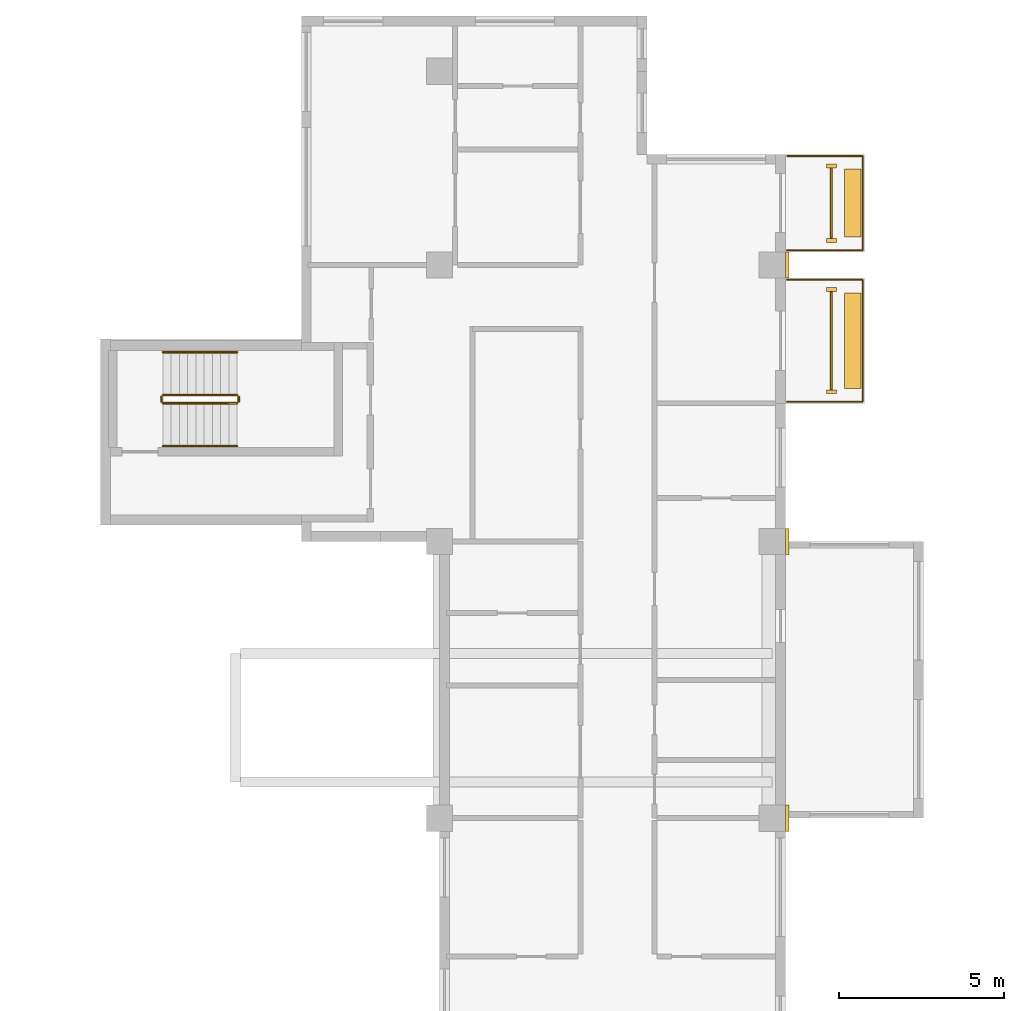
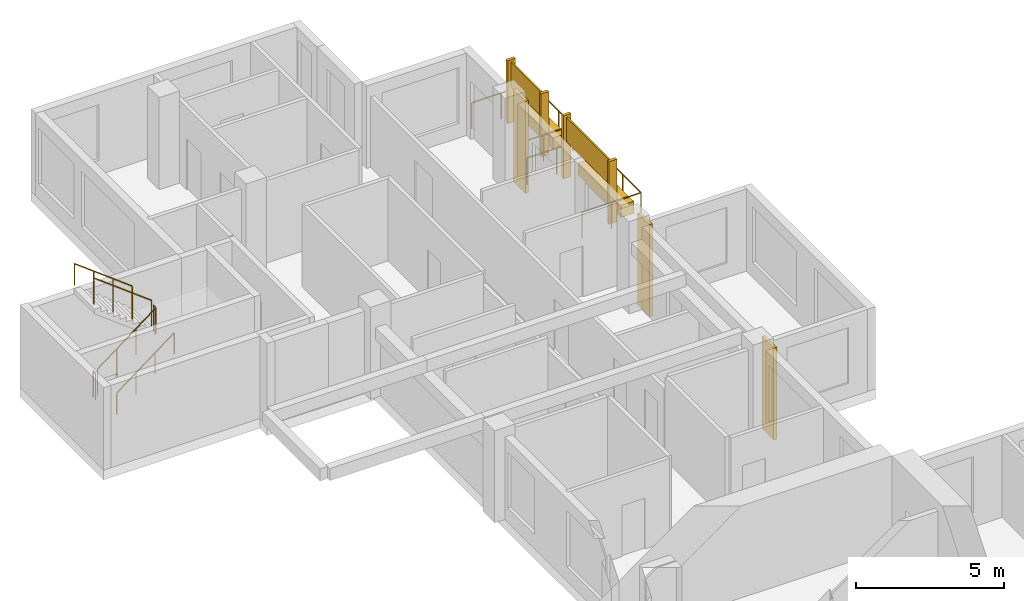
# One storey, part 12 of 12: 11 coverings, 8 railings.
"""IFC4 building model written with IfcOpenShell, lengths in metres."""

from ifc_helpers import new_model, si_unit, direction, frame, origin, origin_2d, place, context, subcontext, project, spatial, rectangle, circle, extrude, source, transform, mapped, material, type_object, element, save


model = new_model("IFC4")

# Units and contexts
model_context = context("Model", 3, precision=1e-05, world=origin(), true_north=direction((0.0, 1.0)))
body_context = subcontext(model_context, "Body", "Model", "MODEL_VIEW")
ifc_project = project(units=[si_unit("LENGTHUNIT", "METRE"), si_unit("AREAUNIT", "SQUARE_METRE"), si_unit("VOLUMEUNIT", "CUBIC_METRE"), si_unit("PLANEANGLEUNIT", "RADIAN"), si_unit("MASSUNIT", "GRAM", prefix="KILO")], contexts=[model_context])

# Site, building, storey
site_placement = place(None, origin())
site = spatial("IfcSite", under=ifc_project, at=site_placement, CompositionType="ELEMENT")
building_placement = place(site_placement, origin())
building = spatial("IfcBuilding", under=site, at=building_placement, Name="Aurelian Terraces", CompositionType="ELEMENT")
storey_placement = place(building_placement, frame((0.0, 0.0, 238.6)))
storey = spatial("IfcBuildingStorey", under=building, at=storey_placement, Name="L54", CompositionType="ELEMENT", Elevation=238.6)

# Railing
ifc_material_1 = material(Name="Anodised aluminium", Category="aluminium")
railing_type_1 = type_object("IfcRailingType", Name="GUARD-1100", PredefinedType="GUARDRAIL", material=ifc_material_1)
railing_1_placement = place(storey_placement, frame((21.05, 42.05, 0.0)))
element("IfcRailing", 1, at=railing_1_placement, inside=storey, type_object=railing_type_1, Name="Balcony guard L54 F08.21", PredefinedType="GUARDRAIL", context=body_context, shape_type="SweptSolid", body=[
    extrude(circle(Radius=0.024, at=origin_2d()), frame((0.0, 0.0, 1.076), z_axis=(1.0, 0.0, 0.0), x_axis=(0.0, 1.0, 0.0)), (0.0, 0.0, 1.0), 2.3),
    extrude(circle(Radius=0.024, at=origin_2d()), frame((2.3, 0.0, 1.076), z_axis=(0.0, 1.0, 0.0), x_axis=(-1.0, 0.0, 0.0)), (0.0, 0.0, 1.0), 3.7),
    extrude(circle(Radius=0.024, at=origin_2d()), frame((2.3, 3.7, 1.076), z_axis=(-1.0, 0.0, 0.0), x_axis=(0.0, -1.0, 0.0)), (0.0, 0.0, 1.0), 2.3),
    extrude(circle(Radius=0.021, at=origin_2d()), origin(), (0.0, 0.0, 1.0), 1.052),
    extrude(circle(Radius=0.021, at=origin_2d()), frame((1.15, 0.0, 0.0)), (0.0, 0.0, 1.0), 1.052),
    extrude(circle(Radius=0.021, at=origin_2d()), frame((2.3, 0.0, 0.0)), (0.0, 0.0, 1.0), 1.052),
    extrude(circle(Radius=0.021, at=origin_2d()), frame((2.3, 1.2333, 0.0)), (0.0, 0.0, 1.0), 1.052),
    extrude(circle(Radius=0.021, at=origin_2d()), frame((2.3, 2.4667, 0.0)), (0.0, 0.0, 1.0), 1.052),
    extrude(circle(Radius=0.021, at=origin_2d()), frame((2.3, 3.7, 0.0)), (0.0, 0.0, 1.0), 1.052),
    extrude(circle(Radius=0.021, at=origin_2d()), frame((1.15, 3.7, 0.0)), (0.0, 0.0, 1.0), 1.052),
    extrude(circle(Radius=0.021, at=origin_2d()), frame((0.0, 3.7, 0.0)), (0.0, 0.0, 1.0), 1.052),
])

# Coverings
ifc_material_2 = material(Name="Terracotta planter with planting soil", Category="masonry")
covering_type_1 = type_object("IfcCoveringType", Name="PLANTER-TROUGH", PredefinedType="USERDEFINED", material=ifc_material_2)
covering_1_placement = place(storey_placement, frame((23.05, 43.9, 0.0), z_axis=(0.0, 0.0, 1.0), x_axis=(1.0, 0.0, 0.0)))
element("IfcCovering", 2, at=covering_1_placement, inside=storey, type_object=covering_type_1, Name="PLANTER L54 L54-F08-21", ObjectType="PLANTER", PredefinedType="USERDEFINED", context=body_context, shape_type="SweptSolid", body=[
    extrude(rectangle(XDim=0.5, YDim=2.9, at=origin_2d()), origin(), (0.0, 0.0, 1.0), 0.5),
])
ifc_material_3 = material(Name="Terracotta rainscreen cladding", Category="masonry")
covering_type_2 = type_object("IfcCoveringType", Name="SCREEN-TC", PredefinedType="CLADDING", material=ifc_material_3)
covering_2_placement = place(storey_placement, frame((22.4, 43.9, 1.5), z_axis=(0.0, 0.0, 1.0), x_axis=(1.0, 0.0, 0.0)))
element("IfcCovering", 3, at=covering_2_placement, inside=storey, type_object=covering_type_2, Name="SCREEN L54 L54-F08-21", PredefinedType="CLADDING", context=body_context, shape_type="SweptSolid", body=[
    extrude(rectangle(XDim=0.06, YDim=2.98, at=origin_2d()), origin(), (0.0, 0.0, 1.0), 1.0),
])
ifc_material_4 = material(Name="Terracotta rainscreen cladding relief", Category="masonry")
covering_type_3 = type_object("IfcCoveringType", Name="FIN-TC", PredefinedType="CLADDING", material=ifc_material_4)
shared_shape_1 = source(origin(), body_context, "Body", "SweptSolid", [
    extrude(rectangle(XDim=0.3, YDim=0.12, at=origin_2d()), origin(), (0.0, 0.0, 1.0), 2.6),
])
for number, where, z_axis, x_axis, name in (
    (4, (22.4, 42.35, 0.0), (0.0, 0.0, 1.0), (1.0, 0.0, 0.0), "FIN L54 L54-F08-21.1"),
    (5, (22.4, 45.45, 0.0), (0.0, 0.0, 1.0), (1.0, 0.0, 0.0), "FIN L54 L54-F08-21.2"),
    (6, (22.4, 46.95, 0.0), (0.0, 0.0, 1.0), (1.0, 0.0, 0.0), "FIN L54 L54-F08-22.1"),
    (7, (22.4, 49.21, 0.0), (0.0, 0.0, 1.0), (1.0, 0.0, 0.0), "FIN L54 L54-F08-22.2"),
):
    element("IfcCovering", number, at=place(storey_placement, frame(where, z_axis=z_axis, x_axis=x_axis)), inside=storey, type_object=covering_type_3, Name=name, PredefinedType="CLADDING", context=body_context, shape_type="MappedRepresentation", body=[
        mapped(shared_shape_1, transform((0.0, 0.0, 0.0), scale=1.0)),
    ])
covering_type_4 = type_object("IfcCoveringType", Name="BAGUETTE-TC", PredefinedType="CLADDING", material=ifc_material_4)
shared_shape_2 = source(origin(), body_context, "Body", "SweptSolid", [
    extrude(rectangle(XDim=0.12, YDim=0.8, at=origin_2d()), origin(), (0.0, 0.0, 1.0), 3.8),
])
for number, where, z_axis, x_axis, name in (
    (8, (21.06, 29.4, -0.4), (0.0, 0.0, 1.0), (1.0, 0.0, 0.0), "BAGUETTE pier L54 6"),
    (9, (21.06, 37.8, -0.4), (0.0, 0.0, 1.0), (1.0, 0.0, 0.0), "BAGUETTE pier L54 7"),
    (10, (21.06, 46.2, -0.4), (0.0, 0.0, 1.0), (1.0, 0.0, 0.0), "BAGUETTE pier L54 8"),
):
    element("IfcCovering", number, at=place(storey_placement, frame(where, z_axis=z_axis, x_axis=x_axis)), inside=storey, type_object=covering_type_4, Name=name, PredefinedType="CLADDING", context=body_context, shape_type="MappedRepresentation", body=[
        mapped(shared_shape_2, transform((0.0, 0.0, 0.0), scale=1.0)),
    ])

# Railing
shared_shape_3 = source(origin(), body_context, "Body", "SweptSolid", [
    extrude(circle(Radius=0.024, at=origin_2d()), frame((0.0, 0.0, 1.076), z_axis=(1.0, 0.0, 0.0), x_axis=(0.0, 1.0, 0.0)), (0.0, 0.0, 1.0), 2.3),
    extrude(circle(Radius=0.024, at=origin_2d()), frame((2.3, 0.0, 1.076), z_axis=(0.0, 1.0, 0.0), x_axis=(-1.0, 0.0, 0.0)), (0.0, 0.0, 1.0), 2.86),
    extrude(circle(Radius=0.024, at=origin_2d()), frame((2.3, 2.86, 1.076), z_axis=(-1.0, 0.0, 0.0), x_axis=(0.0, -1.0, 0.0)), (0.0, 0.0, 1.0), 2.3),
    extrude(circle(Radius=0.021, at=origin_2d()), origin(), (0.0, 0.0, 1.0), 1.052),
    extrude(circle(Radius=0.021, at=origin_2d()), frame((1.15, 0.0, 0.0)), (0.0, 0.0, 1.0), 1.052),
    extrude(circle(Radius=0.021, at=origin_2d()), frame((2.3, 0.0, 0.0)), (0.0, 0.0, 1.0), 1.052),
    extrude(circle(Radius=0.021, at=origin_2d()), frame((2.3, 0.9533, 0.0)), (0.0, 0.0, 1.0), 1.052),
    extrude(circle(Radius=0.021, at=origin_2d()), frame((2.3, 1.9067, 0.0)), (0.0, 0.0, 1.0), 1.052),
    extrude(circle(Radius=0.021, at=origin_2d()), frame((2.3, 2.86, 0.0)), (0.0, 0.0, 1.0), 1.052),
    extrude(circle(Radius=0.021, at=origin_2d()), frame((1.15, 2.86, 0.0)), (0.0, 0.0, 1.0), 1.052),
    extrude(circle(Radius=0.021, at=origin_2d()), frame((0.0, 2.86, 0.0)), (0.0, 0.0, 1.0), 1.052),
])
railing_2_placement = place(storey_placement, frame((21.05, 46.65, 0.0)))
element("IfcRailing", 11, at=railing_2_placement, inside=storey, type_object=railing_type_1, Name="Balcony guard L54 F08.22", PredefinedType="GUARDRAIL", context=body_context, shape_type="MappedRepresentation", body=[
    mapped(shared_shape_3, transform((0.0, 0.0, 0.0), scale=1.0)),
])

# Coverings
shared_shape_4 = source(origin(), body_context, "Body", "SweptSolid", [
    extrude(rectangle(XDim=0.5, YDim=2.06, at=origin_2d()), origin(), (0.0, 0.0, 1.0), 0.5),
])
covering_3_placement = place(storey_placement, frame((23.05, 48.08, 0.0), z_axis=(0.0, 0.0, 1.0), x_axis=(1.0, 0.0, 0.0)))
element("IfcCovering", 12, at=covering_3_placement, inside=storey, type_object=covering_type_1, Name="PLANTER L54 L54-F08-22", ObjectType="PLANTER", PredefinedType="USERDEFINED", context=body_context, shape_type="MappedRepresentation", body=[
    mapped(shared_shape_4, transform((0.0, 0.0, 0.0), scale=1.0)),
])
shared_shape_5 = source(origin(), body_context, "Body", "SweptSolid", [
    extrude(rectangle(XDim=0.06, YDim=2.14, at=origin_2d()), origin(), (0.0, 0.0, 1.0), 1.0),
])
covering_4_placement = place(storey_placement, frame((22.4, 48.08, 1.5), z_axis=(0.0, 0.0, 1.0), x_axis=(1.0, 0.0, 0.0)))
element("IfcCovering", 13, at=covering_4_placement, inside=storey, type_object=covering_type_2, Name="SCREEN L54 L54-F08-22", PredefinedType="CLADDING", context=body_context, shape_type="MappedRepresentation", body=[
    mapped(shared_shape_5, transform((0.0, 0.0, 0.0), scale=1.0)),
])

# Railings
ifc_material_5 = material(Name="Stainless steel", Category="steel")
railing_type_2 = type_object("IfcRailingType", Name="Stair guard 1100", PredefinedType="GUARDRAIL", material=ifc_material_5)
shared_shape_6 = source(origin(), body_context, "Body", "SweptSolid", [
    extrude(circle(Radius=0.024, at=origin_2d()), frame((0.0, 0.0, 1.076), z_axis=(0.0, 1.0, 0.0), x_axis=(-1.0, 0.0, 0.0)), (0.0, 0.0, 1.0), 0.15),
    extrude(circle(Radius=0.021, at=origin_2d()), origin(), (0.0, 0.0, 1.0), 1.052),
    extrude(circle(Radius=0.021, at=origin_2d()), frame((0.0, 0.15, 0.0)), (0.0, 0.0, 1.0), 1.052),
])
for number, where, name in (
    (14, (4.4, 42.05, 1.9), "L54 S3 stair guard 2"),
    (15, (2.05, 42.05, 0.0), "L54 S3 stair guard 4"),
):
    element("IfcRailing", number, at=place(storey_placement, frame(where)), inside=storey, type_object=railing_type_2, Name=name, PredefinedType="GUARDRAIL", context=body_context, shape_type="MappedRepresentation", body=[
        mapped(shared_shape_6, transform((0.0, 0.0, 0.0), scale=1.0)),
    ])
shared_shape_7 = source(origin(), body_context, "Body", "SweptSolid", [
    extrude(circle(Radius=0.024, at=origin_2d()), frame((0.0, 0.0, 1.076), z_axis=(0.796162194123, 0.0, 0.605083267534), x_axis=(0.0, 1.0, 0.0)), (0.0, 0.0, 1.0), 2.8261),
    extrude(circle(Radius=0.021, at=origin_2d()), origin(), (0.0, 0.0, 1.0), 1.052),
    extrude(circle(Radius=0.021, at=origin_2d()), frame((0.75, 0.0, 0.57)), (0.0, 0.0, 1.0), 1.052),
    extrude(circle(Radius=0.021, at=origin_2d()), frame((1.5, 0.0, 1.14)), (0.0, 0.0, 1.0), 1.052),
    extrude(circle(Radius=0.021, at=origin_2d()), frame((2.25, 0.0, 1.71)), (0.0, 0.0, 1.0), 1.052),
])
railing_3_placement = place(storey_placement, frame((2.1, 42.0, 0.19)))
element("IfcRailing", 16, at=railing_3_placement, inside=storey, type_object=railing_type_2, Name="L54 S3 stair guard 1", PredefinedType="GUARDRAIL", context=body_context, shape_type="MappedRepresentation", body=[
    mapped(shared_shape_7, transform((0.0, 0.0, 0.0), scale=1.0)),
])
shared_shape_8 = source(origin(), body_context, "Body", "SweptSolid", [
    extrude(circle(Radius=0.024, at=origin_2d()), frame((0.0, 0.0, 1.076), z_axis=(-0.796162194123, 0.0, 0.605083267534), x_axis=(0.0, -1.0, 0.0)), (0.0, 0.0, 1.0), 2.8261),
    extrude(circle(Radius=0.021, at=origin_2d()), origin(), (0.0, 0.0, 1.0), 1.052),
    extrude(circle(Radius=0.021, at=origin_2d()), frame((-0.75, 0.0, 0.57)), (0.0, 0.0, 1.0), 1.052),
    extrude(circle(Radius=0.021, at=origin_2d()), frame((-1.5, 0.0, 1.14)), (0.0, 0.0, 1.0), 1.052),
    extrude(circle(Radius=0.021, at=origin_2d()), frame((-2.25, 0.0, 1.71)), (0.0, 0.0, 1.0), 1.052),
])
railing_4_placement = place(storey_placement, frame((4.35, 42.25, 2.09)))
element("IfcRailing", 17, at=railing_4_placement, inside=storey, type_object=railing_type_2, Name="L54 S3 stair guard 3", PredefinedType="GUARDRAIL", context=body_context, shape_type="MappedRepresentation", body=[
    mapped(shared_shape_8, transform((0.0, 0.0, 0.0), scale=1.0)),
])
railing_type_3 = type_object("IfcRailingType", Name="Stair handrail", PredefinedType="HANDRAIL", material=ifc_material_5)
shared_shape_9 = source(origin(), body_context, "Body", "SweptSolid", [
    extrude(circle(Radius=0.024, at=origin_2d()), frame((0.0, 0.0, 0.876), z_axis=(0.796162194123, 0.0, 0.605083267534), x_axis=(0.0, 1.0, 0.0)), (0.0, 0.0, 1.0), 2.8261),
    extrude(circle(Radius=0.021, at=origin_2d()), origin(), (0.0, 0.0, 1.0), 0.852),
    extrude(circle(Radius=0.021, at=origin_2d()), frame((0.75, 0.0, 0.57)), (0.0, 0.0, 1.0), 0.852),
    extrude(circle(Radius=0.021, at=origin_2d()), frame((1.5, 0.0, 1.14)), (0.0, 0.0, 1.0), 0.852),
    extrude(circle(Radius=0.021, at=origin_2d()), frame((2.25, 0.0, 1.71)), (0.0, 0.0, 1.0), 0.852),
])
railing_5_placement = place(storey_placement, frame((2.1, 40.7, 0.19)))
element("IfcRailing", 18, at=railing_5_placement, inside=storey, type_object=railing_type_3, Name="L54 S3 stair handrail 1", PredefinedType="HANDRAIL", context=body_context, shape_type="MappedRepresentation", body=[
    mapped(shared_shape_9, transform((0.0, 0.0, 0.0), scale=1.0)),
])
shared_shape_10 = source(origin(), body_context, "Body", "SweptSolid", [
    extrude(circle(Radius=0.024, at=origin_2d()), frame((0.0, 0.0, 0.876), z_axis=(-0.796162194123, 0.0, 0.605083267534), x_axis=(0.0, -1.0, 0.0)), (0.0, 0.0, 1.0), 2.8261),
    extrude(circle(Radius=0.021, at=origin_2d()), origin(), (0.0, 0.0, 1.0), 0.852),
    extrude(circle(Radius=0.021, at=origin_2d()), frame((-0.75, 0.0, 0.57)), (0.0, 0.0, 1.0), 0.852),
    extrude(circle(Radius=0.021, at=origin_2d()), frame((-1.5, 0.0, 1.14)), (0.0, 0.0, 1.0), 0.852),
    extrude(circle(Radius=0.021, at=origin_2d()), frame((-2.25, 0.0, 1.71)), (0.0, 0.0, 1.0), 0.852),
])
railing_6_placement = place(storey_placement, frame((4.35, 43.55, 2.09)))
element("IfcRailing", 19, at=railing_6_placement, inside=storey, type_object=railing_type_3, Name="L54 S3 stair handrail 2", PredefinedType="HANDRAIL", context=body_context, shape_type="MappedRepresentation", body=[
    mapped(shared_shape_10, transform((0.0, 0.0, 0.0), scale=1.0)),
])

save(model, "model.ifc")
